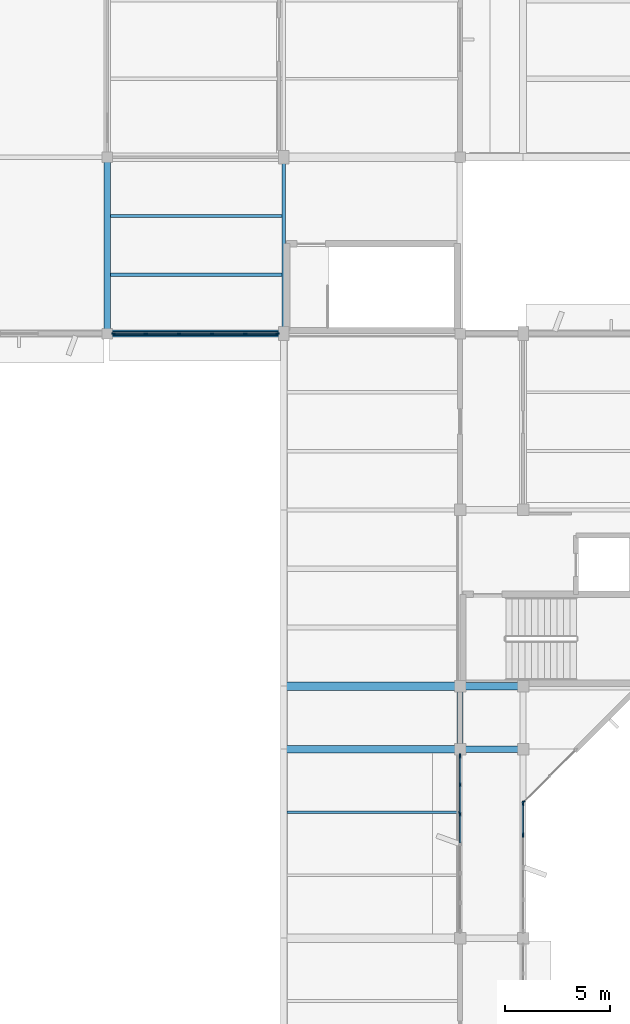
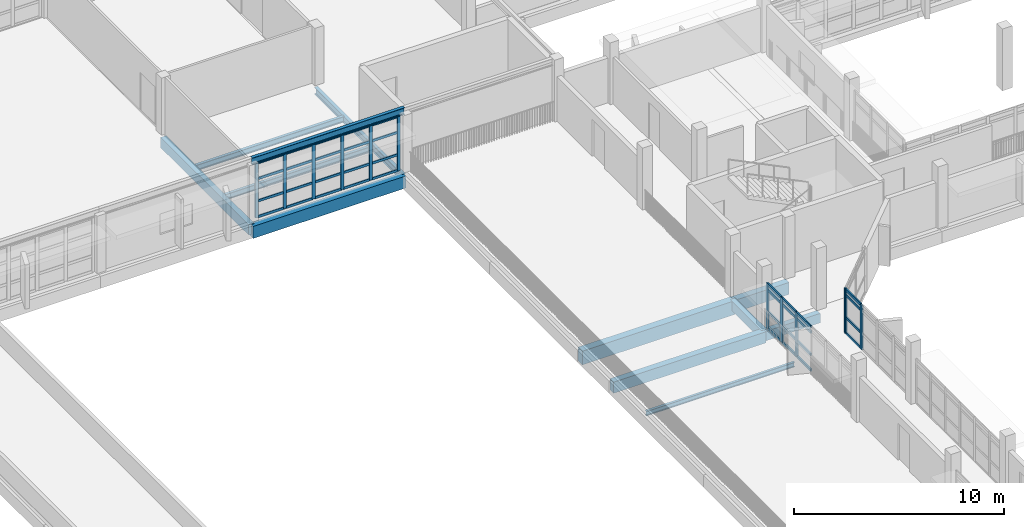
# One storey, part 27 of 92: 48 members, 12 beams, 4 elements without a shape of their own.
"""IFC4 building model written with IfcOpenShell, lengths in metres."""

from ifc_helpers import new_model, si_unit, direction, frame, origin, origin_2d, place, context, subcontext, project, spatial, rectangle, i_section, extrude, material, material_profile, profile_set, type_object, element, aggregate, save


model = new_model("IFC4")

# Units and contexts
model_context = context("Model", 3, precision=1e-05, world=origin(), true_north=direction((0.0, 1.0)))
body_context = subcontext(model_context, "Body", "Model", "MODEL_VIEW")
ifc_project = project(units=[si_unit("LENGTHUNIT", "METRE"), si_unit("AREAUNIT", "SQUARE_METRE"), si_unit("VOLUMEUNIT", "CUBIC_METRE"), si_unit("PLANEANGLEUNIT", "RADIAN"), si_unit("MASSUNIT", "GRAM", prefix="KILO")], contexts=[model_context])

# Site, building, storey
site_placement = place(None, origin())
site = spatial("IfcSite", under=ifc_project, at=site_placement, CompositionType="ELEMENT")
building_placement = place(site_placement, origin())
building = spatial("IfcBuilding", under=site, at=building_placement, Name="Vanh Quang Courtyard School", CompositionType="ELEMENT")
storey_placement = place(building_placement, frame((0.0, 0.0, 7.800048828125)))
storey = spatial("IfcBuildingStorey", under=building, at=storey_placement, Name="L02", CompositionType="ELEMENT", Elevation=7.800048828125)

# Beams
ifc_material_1 = material(Name="Concrete C35/45", Category="concrete")
ifc_material_profile_1 = material_profile(ifc_material_1, rectangle(XDim=0.300048828125, YDim=0.550048828125, at=origin_2d()), Name="RC-BM 300x550")
ifc_profile_set_1 = profile_set([ifc_material_profile_1], Name="Concrete C35/45")
beam_type_1 = type_object("IfcBeamType", Name="BM-RC-300x550", PredefinedType="BEAM", material=ifc_profile_set_1)
for number, where, z_axis, x_axis, name in (
    (1, (37.800048828125, 68.39990234375, -0.594970703125), (1.0, 0.0, 0.0), (0.0, 1.0, 0.0), "Beam B-07 (L02)"),
    (2, (37.800048828125, 68.39990234375, -0.594970703125), (0.0, 1.0, 0.0), (-1.0, 0.0, 0.0), "Beam B-07 (L02)"),
):
    element("IfcBeam", number, at=place(storey_placement, frame(where, z_axis=z_axis, x_axis=x_axis)), inside=storey, type_object=beam_type_1, Name=name, PredefinedType="BEAM", context=body_context, shape_type="SweptSolid", body=[
        extrude(rectangle(XDim=0.300048828125, YDim=0.550048828125, at=origin_2d()), origin(), (0.0, 0.0, 1.0), 3.0),
    ])
ifc_material_profile_2 = material_profile(ifc_material_1, rectangle(XDim=0.300048828125, YDim=0.60009765625, at=origin_2d()), Name="RC-BM 300x600")
ifc_profile_set_2 = profile_set([ifc_material_profile_2], Name="Concrete C35/45")
beam_type_2 = type_object("IfcBeamType", Name="BM-RC-300x600", PredefinedType="BEAM", material=ifc_profile_set_2)
beam_1_placement = place(storey_placement, frame((21.0, 88.199951171875, -0.580078125), z_axis=(0.0, 1.0, 0.0), x_axis=(-1.0, 0.0, 0.0)))
element("IfcBeam", 3, at=beam_1_placement, inside=storey, type_object=beam_type_2, Name="Beam B-06 (L02)", PredefinedType="BEAM", context=body_context, shape_type="SweptSolid", body=[
    extrude(rectangle(XDim=0.300048828125, YDim=0.60009765625, at=origin_2d()), origin(), (0.0, 0.0, 1.0), 8.400146484375),
])
ifc_material_profile_3 = material_profile(ifc_material_1, rectangle(XDim=0.35009765625, YDim=0.64990234375, at=origin_2d()), Name="RC-BM 350x650")
ifc_profile_set_3 = profile_set([ifc_material_profile_3], Name="Concrete C35/45")
beam_type_3 = type_object("IfcBeamType", Name="BM-RC-350x650", PredefinedType="BEAM", material=ifc_profile_set_3)
beam_2_placement = place(storey_placement, frame((29.39990234375, 68.39990234375, -0.64501953125), z_axis=(1.0, 0.0, 0.0), x_axis=(0.0, 1.0, 0.0)))
element("IfcBeam", 4, at=beam_2_placement, inside=storey, type_object=beam_type_3, Name="Beam B-05 (L02)", PredefinedType="BEAM", context=body_context, shape_type="SweptSolid", body=[
    extrude(rectangle(XDim=0.35009765625, YDim=0.64990234375, at=origin_2d()), origin(), (0.0, 0.0, 1.0), 8.400146484375),
])
ifc_material_profile_4 = material_profile(ifc_material_1, rectangle(XDim=0.35009765625, YDim=0.699951171875, at=origin_2d()), Name="RC-BM 350x700")
ifc_profile_set_4 = profile_set([ifc_material_profile_4], Name="Concrete C35/45")
beam_type_4 = type_object("IfcBeamType", Name="BM-RC-350x700", PredefinedType="BEAM", material=ifc_profile_set_4)
beam_3_placement = place(storey_placement, frame((37.800048828125, 71.39990234375, -0.670166015625), z_axis=(1.0, 0.0, 0.0), x_axis=(0.0, 1.0, 0.0)))
element("IfcBeam", 5, at=beam_3_placement, inside=storey, type_object=beam_type_4, Name="Beam B-04 (L02)", PredefinedType="BEAM", context=body_context, shape_type="SweptSolid", body=[
    extrude(rectangle(XDim=0.35009765625, YDim=0.699951171875, at=origin_2d()), origin(), (0.0, 0.0, 1.0), 3.0),
])
beam_4_placement = place(storey_placement, frame((21.0, 88.199951171875, -0.670166015625), z_axis=(1.0, 0.0, 0.0), x_axis=(0.0, 1.0, 0.0)))
element("IfcBeam", 6, at=beam_4_placement, inside=storey, type_object=beam_type_4, Name="Beam B-04 (L02)", PredefinedType="BEAM", context=body_context, shape_type="SweptSolid", body=[
    extrude(rectangle(XDim=0.35009765625, YDim=0.699951171875, at=origin_2d()), origin(), (0.0, 0.0, 1.0), 8.39990234375),
])
ifc_material_profile_5 = material_profile(ifc_material_1, rectangle(XDim=0.39990234375, YDim=0.800048828125, at=origin_2d()), Name="RC-BM 400x800")
ifc_profile_set_5 = profile_set([ifc_material_profile_5], Name="Concrete C35/45")
beam_type_5 = type_object("IfcBeamType", Name="BM-RC-400x800", PredefinedType="BEAM", material=ifc_profile_set_5)
beam_5_placement = place(storey_placement, frame((29.39990234375, 71.39990234375, -0.719970703125), z_axis=(1.0, 0.0, 0.0), x_axis=(0.0, 1.0, 0.0)))
element("IfcBeam", 7, at=beam_5_placement, inside=storey, type_object=beam_type_5, Name="Beam B-02 (L02)", PredefinedType="BEAM", context=body_context, shape_type="SweptSolid", body=[
    extrude(rectangle(XDim=0.39990234375, YDim=0.800048828125, at=origin_2d()), origin(), (0.0, 0.0, 1.0), 8.400146484375),
])
ifc_material_2 = material(Name="Structural steel EN 10025-2 S355J2", Category="steel")
ifc_material_profile_6 = material_profile(ifc_material_2, i_section(OverallWidth=0.179931640625, OverallDepth=0.39990234375, WebThickness=0.008544921875, FlangeThickness=0.013427734375, FilletRadius=0.02099609375, at=origin_2d()), Name="IPE 400")
ifc_profile_set_6 = profile_set([ifc_material_profile_6], Name="Structural steel EN 10025-2 S355J2")
beam_type_6 = type_object("IfcBeamType", Name="BM-STL-IPE400", PredefinedType="BEAM", material=ifc_profile_set_6)
beam_6_placement = place(storey_placement, frame((29.39990234375, 88.199951171875, -0.52001953125), z_axis=(0.0, 1.0, 0.0), x_axis=(-1.0, 0.0, 0.0)))
element("IfcBeam", 8, at=beam_6_placement, inside=storey, type_object=beam_type_6, Name="Beam SB-05 (L02)", PredefinedType="BEAM", context=body_context, shape_type="SweptSolid", body=[
    extrude(i_section(OverallWidth=0.179931640625, OverallDepth=0.39990234375, WebThickness=0.008544921875, FlangeThickness=0.013427734375, FilletRadius=0.02099609375, at=origin_2d()), origin(), (0.0, 0.0, 1.0), 8.400146484375),
])
beam_7_placement = place(storey_placement, frame((21.0, 88.199951171875, 3.39990234375), z_axis=(1.0, 0.0, 0.0), x_axis=(0.0, 1.0, 0.0)))
element("IfcBeam", 9, at=beam_7_placement, inside=storey, type_object=beam_type_6, Name="Beam SB-05 (L02)", PredefinedType="BEAM", context=body_context, shape_type="SweptSolid", body=[
    extrude(i_section(OverallWidth=0.179931640625, OverallDepth=0.39990234375, WebThickness=0.008544921875, FlangeThickness=0.013427734375, FilletRadius=0.02099609375, at=origin_2d()), origin(), (0.0, 0.0, 1.0), 8.39990234375),
])

# Curtain wall, member
ifc_material_3 = material(Name="Thermally broken aluminium unitised curtain wall", Category="aluminium")
curtain_wall_type_1 = type_object("IfcCurtainWallType", Name="CW-SYS-41", PredefinedType="NOTDEFINED", material=ifc_material_3)
curtain_wall_1_placement = place(storey_placement, origin())
curtain_wall_1 = element("IfcCurtainWall", 10, at=curtain_wall_1_placement, inside=storey, type_object=curtain_wall_type_1, Name="Curtain Wall CW-41 (L02)", PredefinedType="NOTDEFINED")
ifc_material_4 = material(Name="Anodised aluminium 6063-T6", Category="aluminium")
ifc_material_profile_7 = material_profile(ifc_material_4, rectangle(XDim=0.06005859375, YDim=0.159912109375, at=origin_2d()), Name="ALU-MUL 60x160")
ifc_profile_set_7 = profile_set([ifc_material_profile_7], Name="Anodised aluminium 6063-T6")
member_type_1 = type_object("IfcMemberType", Name="CW-MUL-60x160", PredefinedType="MULLION", material=ifc_profile_set_7)
member_1_placement = place(storey_placement, frame((40.8212890625, 65.877197265625, 0.0), z_axis=(0.0, 0.0, 1.0), x_axis=(0.707106781187, -0.707106781187, 0.0)))
member_1 = element("IfcMember", 11, at=member_1_placement, type_object=member_type_1, Name="CW-41 mullion 3", PredefinedType="MULLION", context=body_context, shape_type="SweptSolid", body=[
    extrude(rectangle(XDim=0.06005859375, YDim=0.159912109375, at=origin_2d()), origin(), (0.0, 0.0, 1.0), 2.599853515625),
])
aggregate(curtain_wall_1, [member_1])

# Curtain wall, members
curtain_wall_type_2 = type_object("IfcCurtainWallType", Name="CW-SYS-08", PredefinedType="NOTDEFINED", material=ifc_material_3)
curtain_wall_2_placement = place(storey_placement, origin())
curtain_wall_2 = element("IfcCurtainWall", 12, at=curtain_wall_2_placement, inside=storey, type_object=curtain_wall_type_2, Name="Curtain Wall CW-08 (L02)", PredefinedType="NOTDEFINED")
ifc_material_profile_8 = material_profile(ifc_material_4, rectangle(XDim=0.070068359375, YDim=0.179931640625, at=origin_2d()), Name="ALU-MUL 70x180")
ifc_profile_set_8 = profile_set([ifc_material_profile_8], Name="Anodised aluminium 6063-T6")
member_type_2 = type_object("IfcMemberType", Name="CW-MUL-70x180", PredefinedType="MULLION", material=ifc_profile_set_8)
member_2_placement = place(storey_placement, frame((29.10693359375, 88.199951171875, 0.0), z_axis=(0.0, 0.0, 1.0), x_axis=(0.0, -1.0, 0.0)))
member_2 = element("IfcMember", 13, at=member_2_placement, type_object=member_type_2, Name="CW-08 mullion 1", PredefinedType="MULLION", context=body_context, shape_type="SweptSolid", body=[
    extrude(rectangle(XDim=0.070068359375, YDim=0.179931640625, at=origin_2d()), origin(), (0.0, 0.0, 1.0), 3.199951171875),
])
member_3_placement = place(storey_placement, frame((27.565185546875, 88.199951171875, 0.0), z_axis=(0.0, 0.0, 1.0), x_axis=(0.0, -1.0, 0.0)))
member_3 = element("IfcMember", 14, at=member_3_placement, type_object=member_type_2, Name="CW-08 mullion 2", PredefinedType="MULLION", context=body_context, shape_type="SweptSolid", body=[
    extrude(rectangle(XDim=0.070068359375, YDim=0.179931640625, at=origin_2d()), origin(), (0.0, 0.0, 1.0), 3.199951171875),
])
member_4_placement = place(storey_placement, frame((25.98828125, 88.199951171875, 0.0), z_axis=(0.0, 0.0, 1.0), x_axis=(0.0, -1.0, 0.0)))
member_4 = element("IfcMember", 15, at=member_4_placement, type_object=member_type_2, Name="CW-08 mullion 3", PredefinedType="MULLION", context=body_context, shape_type="SweptSolid", body=[
    extrude(rectangle(XDim=0.070068359375, YDim=0.179931640625, at=origin_2d()), origin(), (0.0, 0.0, 1.0), 3.199951171875),
])
member_5_placement = place(storey_placement, frame((24.41162109375, 88.199951171875, 0.0), z_axis=(0.0, 0.0, 1.0), x_axis=(0.0, -1.0, 0.0)))
member_5 = element("IfcMember", 16, at=member_5_placement, type_object=member_type_2, Name="CW-08 mullion 4", PredefinedType="MULLION", context=body_context, shape_type="SweptSolid", body=[
    extrude(rectangle(XDim=0.070068359375, YDim=0.179931640625, at=origin_2d()), origin(), (0.0, 0.0, 1.0), 3.199951171875),
])
member_6_placement = place(storey_placement, frame((22.834716796875, 88.199951171875, 0.0), z_axis=(0.0, 0.0, 1.0), x_axis=(0.0, -1.0, 0.0)))
member_6 = element("IfcMember", 17, at=member_6_placement, type_object=member_type_2, Name="CW-08 mullion 5", PredefinedType="MULLION", context=body_context, shape_type="SweptSolid", body=[
    extrude(rectangle(XDim=0.070068359375, YDim=0.179931640625, at=origin_2d()), origin(), (0.0, 0.0, 1.0), 3.199951171875),
])
member_7_placement = place(storey_placement, frame((21.29296875, 88.199951171875, 0.0), z_axis=(0.0, 0.0, 1.0), x_axis=(0.0, -1.0, 0.0)))
member_7 = element("IfcMember", 18, at=member_7_placement, type_object=member_type_2, Name="CW-08 mullion 6", PredefinedType="MULLION", context=body_context, shape_type="SweptSolid", body=[
    extrude(rectangle(XDim=0.070068359375, YDim=0.179931640625, at=origin_2d()), origin(), (0.0, 0.0, 1.0), 3.199951171875),
])

curtain_wall_type_3 = type_object("IfcCurtainWallType", Name="CW-SYS-48", PredefinedType="NOTDEFINED", material=ifc_material_3)
curtain_wall_3_placement = place(storey_placement, origin())
curtain_wall_3 = element("IfcCurtainWall", 19, at=curtain_wall_3_placement, inside=storey, type_object=curtain_wall_type_3, Name="Curtain Wall CW-48 (L02)", PredefinedType="NOTDEFINED")
ifc_material_profile_9 = material_profile(ifc_material_4, rectangle(XDim=0.080078125, YDim=0.199951171875, at=origin_2d()), Name="ALU-MUL 80x200")
ifc_profile_set_9 = profile_set([ifc_material_profile_9], Name="Anodised aluminium 6063-T6")
member_type_3 = type_object("IfcMemberType", Name="CW-MUL-80x200", PredefinedType="MULLION", material=ifc_profile_set_9)
member_8_placement = place(storey_placement, frame((37.800048828125, 65.3056640625, 0.0), z_axis=(0.0, 0.0, 1.0), x_axis=(-1.0, 0.0, 0.0)))
member_8 = element("IfcMember", 20, at=member_8_placement, type_object=member_type_3, Name="CW-48 mullion 5", PredefinedType="MULLION", context=body_context, shape_type="SweptSolid", body=[
    extrude(rectangle(XDim=0.080078125, YDim=0.199951171875, at=origin_2d()), origin(), (0.0, 0.0, 1.0), 2.599853515625),
])
member_9_placement = place(storey_placement, frame((37.800048828125, 66.71142578125, 0.0), z_axis=(0.0, 0.0, 1.0), x_axis=(-1.0, 0.0, 0.0)))
member_9 = element("IfcMember", 21, at=member_9_placement, type_object=member_type_3, Name="CW-48 mullion 6", PredefinedType="MULLION", context=body_context, shape_type="SweptSolid", body=[
    extrude(rectangle(XDim=0.080078125, YDim=0.199951171875, at=origin_2d()), origin(), (0.0, 0.0, 1.0), 2.599853515625),
])
member_10_placement = place(storey_placement, frame((37.800048828125, 68.076904296875, 0.0), z_axis=(0.0, 0.0, 1.0), x_axis=(-1.0, 0.0, 0.0)))
member_10 = element("IfcMember", 22, at=member_10_placement, type_object=member_type_3, Name="CW-48 mullion 7", PredefinedType="MULLION", context=body_context, shape_type="SweptSolid", body=[
    extrude(rectangle(XDim=0.080078125, YDim=0.199951171875, at=origin_2d()), origin(), (0.0, 0.0, 1.0), 2.599853515625),
])

curtain_wall_type_4 = type_object("IfcCurtainWallType", Name="CW-SYS-44", PredefinedType="NOTDEFINED", material=ifc_material_3)
curtain_wall_4_placement = place(storey_placement, origin())
curtain_wall_4 = element("IfcCurtainWall", 23, at=curtain_wall_4_placement, inside=storey, type_object=curtain_wall_type_4, Name="Curtain Wall CW-44 (L02)", PredefinedType="NOTDEFINED")
member_11_placement = place(storey_placement, frame((40.800048828125, 65.81591796875, 0.0), z_axis=(0.0, 0.0, 1.0), x_axis=(1.0, 0.0, 0.0)))
member_11 = element("IfcMember", 24, at=member_11_placement, type_object=member_type_3, Name="CW-44 mullion 1", PredefinedType="MULLION", context=body_context, shape_type="SweptSolid", body=[
    extrude(rectangle(XDim=0.080078125, YDim=0.199951171875, at=origin_2d()), origin(), (0.0, 0.0, 1.0), 2.599853515625),
])
member_12_placement = place(storey_placement, frame((40.800048828125, 64.312744140625, 0.0), z_axis=(0.0, 0.0, 1.0), x_axis=(1.0, 0.0, 0.0)))
member_12 = element("IfcMember", 25, at=member_12_placement, type_object=member_type_3, Name="CW-44 mullion 2", PredefinedType="MULLION", context=body_context, shape_type="SweptSolid", body=[
    extrude(rectangle(XDim=0.080078125, YDim=0.199951171875, at=origin_2d()), origin(), (0.0, 0.0, 1.0), 2.599853515625),
])

# Member
ifc_material_profile_10 = material_profile(ifc_material_4, rectangle(XDim=0.070068359375, YDim=0.139892578125, at=origin_2d()), Name="ALU-TRN 70x140")
ifc_profile_set_10 = profile_set([ifc_material_profile_10], Name="Anodised aluminium 6063-T6")
member_type_4 = type_object("IfcMemberType", Name="CW-TRN-70x140", PredefinedType="USERDEFINED", material=ifc_profile_set_10)
member_13_placement = place(storey_placement, frame((29.072021484375, 88.199951171875, 0.034912109375), z_axis=(-1.0, 0.0, 0.0), x_axis=(0.0, -1.0, 0.0)))
member_13 = element("IfcMember", 26, at=member_13_placement, type_object=member_type_4, Name="CW-08 transom 1.1", ObjectType="TRANSOM", PredefinedType="USERDEFINED", context=body_context, shape_type="SweptSolid", body=[
    extrude(rectangle(XDim=0.070068359375, YDim=0.139892578125, at=origin_2d()), origin(), (0.0, 0.0, 1.0), 1.471923828125),
])

member_14_placement = place(storey_placement, frame((29.072021484375, 88.199951171875, 0.949951171875), z_axis=(-1.0, 0.0, 0.0), x_axis=(0.0, -1.0, 0.0)))
member_14 = element("IfcMember", 27, at=member_14_placement, type_object=member_type_4, Name="CW-08 transom 1.2", ObjectType="TRANSOM", PredefinedType="USERDEFINED", context=body_context, shape_type="SweptSolid", body=[
    extrude(rectangle(XDim=0.070068359375, YDim=0.139892578125, at=origin_2d()), origin(), (0.0, 0.0, 1.0), 1.471923828125),
])

member_15_placement = place(storey_placement, frame((29.072021484375, 88.199951171875, 2.25), z_axis=(-1.0, 0.0, 0.0), x_axis=(0.0, -1.0, 0.0)))
member_15 = element("IfcMember", 28, at=member_15_placement, type_object=member_type_4, Name="CW-08 transom 1.3", ObjectType="TRANSOM", PredefinedType="USERDEFINED", context=body_context, shape_type="SweptSolid", body=[
    extrude(rectangle(XDim=0.070068359375, YDim=0.139892578125, at=origin_2d()), origin(), (0.0, 0.0, 1.0), 1.471923828125),
])

member_16_placement = place(storey_placement, frame((29.072021484375, 88.199951171875, 3.1650390625), z_axis=(-1.0, 0.0, 0.0), x_axis=(0.0, -1.0, 0.0)))
member_16 = element("IfcMember", 29, at=member_16_placement, type_object=member_type_4, Name="CW-08 transom 1.4", ObjectType="TRANSOM", PredefinedType="USERDEFINED", context=body_context, shape_type="SweptSolid", body=[
    extrude(rectangle(XDim=0.070068359375, YDim=0.139892578125, at=origin_2d()), origin(), (0.0, 0.0, 1.0), 1.471923828125),
])

member_17_placement = place(storey_placement, frame((27.5302734375, 88.199951171875, 0.034912109375), z_axis=(-1.0, 0.0, 0.0), x_axis=(0.0, -1.0, 0.0)))
member_17 = element("IfcMember", 30, at=member_17_placement, type_object=member_type_4, Name="CW-08 transom 2.1", ObjectType="TRANSOM", PredefinedType="USERDEFINED", context=body_context, shape_type="SweptSolid", body=[
    extrude(rectangle(XDim=0.070068359375, YDim=0.139892578125, at=origin_2d()), origin(), (0.0, 0.0, 1.0), 1.5068359375),
])

member_18_placement = place(storey_placement, frame((27.5302734375, 88.199951171875, 0.949951171875), z_axis=(-1.0, 0.0, 0.0), x_axis=(0.0, -1.0, 0.0)))
member_18 = element("IfcMember", 31, at=member_18_placement, type_object=member_type_4, Name="CW-08 transom 2.2", ObjectType="TRANSOM", PredefinedType="USERDEFINED", context=body_context, shape_type="SweptSolid", body=[
    extrude(rectangle(XDim=0.070068359375, YDim=0.139892578125, at=origin_2d()), origin(), (0.0, 0.0, 1.0), 1.5068359375),
])

member_19_placement = place(storey_placement, frame((27.5302734375, 88.199951171875, 2.25), z_axis=(-1.0, 0.0, 0.0), x_axis=(0.0, -1.0, 0.0)))
member_19 = element("IfcMember", 32, at=member_19_placement, type_object=member_type_4, Name="CW-08 transom 2.3", ObjectType="TRANSOM", PredefinedType="USERDEFINED", context=body_context, shape_type="SweptSolid", body=[
    extrude(rectangle(XDim=0.070068359375, YDim=0.139892578125, at=origin_2d()), origin(), (0.0, 0.0, 1.0), 1.5068359375),
])

member_20_placement = place(storey_placement, frame((27.5302734375, 88.199951171875, 3.1650390625), z_axis=(-1.0, 0.0, 0.0), x_axis=(0.0, -1.0, 0.0)))
member_20 = element("IfcMember", 33, at=member_20_placement, type_object=member_type_4, Name="CW-08 transom 2.4", ObjectType="TRANSOM", PredefinedType="USERDEFINED", context=body_context, shape_type="SweptSolid", body=[
    extrude(rectangle(XDim=0.070068359375, YDim=0.139892578125, at=origin_2d()), origin(), (0.0, 0.0, 1.0), 1.5068359375),
])

member_21_placement = place(storey_placement, frame((25.953369140625, 88.199951171875, 0.034912109375), z_axis=(-1.0, 0.0, 0.0), x_axis=(0.0, -1.0, 0.0)))
member_21 = element("IfcMember", 34, at=member_21_placement, type_object=member_type_4, Name="CW-08 transom 3.1", ObjectType="TRANSOM", PredefinedType="USERDEFINED", context=body_context, shape_type="SweptSolid", body=[
    extrude(rectangle(XDim=0.070068359375, YDim=0.139892578125, at=origin_2d()), origin(), (0.0, 0.0, 1.0), 1.5068359375),
])

member_22_placement = place(storey_placement, frame((25.953369140625, 88.199951171875, 0.949951171875), z_axis=(-1.0, 0.0, 0.0), x_axis=(0.0, -1.0, 0.0)))
member_22 = element("IfcMember", 35, at=member_22_placement, type_object=member_type_4, Name="CW-08 transom 3.2", ObjectType="TRANSOM", PredefinedType="USERDEFINED", context=body_context, shape_type="SweptSolid", body=[
    extrude(rectangle(XDim=0.070068359375, YDim=0.139892578125, at=origin_2d()), origin(), (0.0, 0.0, 1.0), 1.5068359375),
])

member_23_placement = place(storey_placement, frame((25.953369140625, 88.199951171875, 2.25), z_axis=(-1.0, 0.0, 0.0), x_axis=(0.0, -1.0, 0.0)))
member_23 = element("IfcMember", 36, at=member_23_placement, type_object=member_type_4, Name="CW-08 transom 3.3", ObjectType="TRANSOM", PredefinedType="USERDEFINED", context=body_context, shape_type="SweptSolid", body=[
    extrude(rectangle(XDim=0.070068359375, YDim=0.139892578125, at=origin_2d()), origin(), (0.0, 0.0, 1.0), 1.5068359375),
])

member_24_placement = place(storey_placement, frame((25.953369140625, 88.199951171875, 3.1650390625), z_axis=(-1.0, 0.0, 0.0), x_axis=(0.0, -1.0, 0.0)))
member_24 = element("IfcMember", 37, at=member_24_placement, type_object=member_type_4, Name="CW-08 transom 3.4", ObjectType="TRANSOM", PredefinedType="USERDEFINED", context=body_context, shape_type="SweptSolid", body=[
    extrude(rectangle(XDim=0.070068359375, YDim=0.139892578125, at=origin_2d()), origin(), (0.0, 0.0, 1.0), 1.5068359375),
])

member_25_placement = place(storey_placement, frame((24.376708984375, 88.199951171875, 0.034912109375), z_axis=(-1.0, 0.0, 0.0), x_axis=(0.0, -1.0, 0.0)))
member_25 = element("IfcMember", 38, at=member_25_placement, type_object=member_type_4, Name="CW-08 transom 4.1", ObjectType="TRANSOM", PredefinedType="USERDEFINED", context=body_context, shape_type="SweptSolid", body=[
    extrude(rectangle(XDim=0.070068359375, YDim=0.139892578125, at=origin_2d()), origin(), (0.0, 0.0, 1.0), 1.5068359375),
])

member_26_placement = place(storey_placement, frame((24.376708984375, 88.199951171875, 0.949951171875), z_axis=(-1.0, 0.0, 0.0), x_axis=(0.0, -1.0, 0.0)))
member_26 = element("IfcMember", 39, at=member_26_placement, type_object=member_type_4, Name="CW-08 transom 4.2", ObjectType="TRANSOM", PredefinedType="USERDEFINED", context=body_context, shape_type="SweptSolid", body=[
    extrude(rectangle(XDim=0.070068359375, YDim=0.139892578125, at=origin_2d()), origin(), (0.0, 0.0, 1.0), 1.5068359375),
])

member_27_placement = place(storey_placement, frame((24.376708984375, 88.199951171875, 2.25), z_axis=(-1.0, 0.0, 0.0), x_axis=(0.0, -1.0, 0.0)))
member_27 = element("IfcMember", 40, at=member_27_placement, type_object=member_type_4, Name="CW-08 transom 4.3", ObjectType="TRANSOM", PredefinedType="USERDEFINED", context=body_context, shape_type="SweptSolid", body=[
    extrude(rectangle(XDim=0.070068359375, YDim=0.139892578125, at=origin_2d()), origin(), (0.0, 0.0, 1.0), 1.5068359375),
])

member_28_placement = place(storey_placement, frame((24.376708984375, 88.199951171875, 3.1650390625), z_axis=(-1.0, 0.0, 0.0), x_axis=(0.0, -1.0, 0.0)))
member_28 = element("IfcMember", 41, at=member_28_placement, type_object=member_type_4, Name="CW-08 transom 4.4", ObjectType="TRANSOM", PredefinedType="USERDEFINED", context=body_context, shape_type="SweptSolid", body=[
    extrude(rectangle(XDim=0.070068359375, YDim=0.139892578125, at=origin_2d()), origin(), (0.0, 0.0, 1.0), 1.5068359375),
])

member_29_placement = place(storey_placement, frame((22.7998046875, 88.199951171875, 0.034912109375), z_axis=(-1.0, 0.0, 0.0), x_axis=(0.0, -1.0, 0.0)))
member_29 = element("IfcMember", 42, at=member_29_placement, type_object=member_type_4, Name="CW-08 transom 5.1", ObjectType="TRANSOM", PredefinedType="USERDEFINED", context=body_context, shape_type="SweptSolid", body=[
    extrude(rectangle(XDim=0.070068359375, YDim=0.139892578125, at=origin_2d()), origin(), (0.0, 0.0, 1.0), 1.471923828125),
])

member_30_placement = place(storey_placement, frame((22.7998046875, 88.199951171875, 0.949951171875), z_axis=(-1.0, 0.0, 0.0), x_axis=(0.0, -1.0, 0.0)))
member_30 = element("IfcMember", 43, at=member_30_placement, type_object=member_type_4, Name="CW-08 transom 5.2", ObjectType="TRANSOM", PredefinedType="USERDEFINED", context=body_context, shape_type="SweptSolid", body=[
    extrude(rectangle(XDim=0.070068359375, YDim=0.139892578125, at=origin_2d()), origin(), (0.0, 0.0, 1.0), 1.471923828125),
])

member_31_placement = place(storey_placement, frame((22.7998046875, 88.199951171875, 2.25), z_axis=(-1.0, 0.0, 0.0), x_axis=(0.0, -1.0, 0.0)))
member_31 = element("IfcMember", 44, at=member_31_placement, type_object=member_type_4, Name="CW-08 transom 5.3", ObjectType="TRANSOM", PredefinedType="USERDEFINED", context=body_context, shape_type="SweptSolid", body=[
    extrude(rectangle(XDim=0.070068359375, YDim=0.139892578125, at=origin_2d()), origin(), (0.0, 0.0, 1.0), 1.471923828125),
])

member_32_placement = place(storey_placement, frame((22.7998046875, 88.199951171875, 3.1650390625), z_axis=(-1.0, 0.0, 0.0), x_axis=(0.0, -1.0, 0.0)))
member_32 = element("IfcMember", 45, at=member_32_placement, type_object=member_type_4, Name="CW-08 transom 5.4", ObjectType="TRANSOM", PredefinedType="USERDEFINED", context=body_context, shape_type="SweptSolid", body=[
    extrude(rectangle(XDim=0.070068359375, YDim=0.139892578125, at=origin_2d()), origin(), (0.0, 0.0, 1.0), 1.471923828125),
])

aggregate(curtain_wall_2, [member_2, member_3, member_4, member_5, member_6, member_7, member_13, member_14, member_15, member_16, member_17, member_18, member_19, member_20, member_21, member_22, member_23, member_24, member_25, member_26, member_27, member_28, member_29, member_30, member_31, member_32])

ifc_material_profile_11 = material_profile(ifc_material_4, rectangle(XDim=0.080078125, YDim=0.14990234375, at=origin_2d()), Name="ALU-TRN 80x150")
ifc_profile_set_11 = profile_set([ifc_material_profile_11], Name="Anodised aluminium 6063-T6")
member_type_5 = type_object("IfcMemberType", Name="CW-TRN-80x150", PredefinedType="USERDEFINED", material=ifc_profile_set_11)
member_33_placement = place(storey_placement, frame((37.800048828125, 63.93994140625, 0.0400390625), z_axis=(0.0, 1.0, 0.0), x_axis=(-1.0, 0.0, 0.0)))
member_33 = element("IfcMember", 46, at=member_33_placement, type_object=member_type_5, Name="CW-48 transom 4.1", ObjectType="TRANSOM", PredefinedType="USERDEFINED", context=body_context, shape_type="SweptSolid", body=[
    extrude(rectangle(XDim=0.080078125, YDim=0.14990234375, at=origin_2d()), origin(), (0.0, 0.0, 1.0), 1.32568359375),
])

member_34_placement = place(storey_placement, frame((37.800048828125, 63.93994140625, 0.949951171875), z_axis=(0.0, 1.0, 0.0), x_axis=(-1.0, 0.0, 0.0)))
member_34 = element("IfcMember", 47, at=member_34_placement, type_object=member_type_5, Name="CW-48 transom 4.2", ObjectType="TRANSOM", PredefinedType="USERDEFINED", context=body_context, shape_type="SweptSolid", body=[
    extrude(rectangle(XDim=0.080078125, YDim=0.14990234375, at=origin_2d()), origin(), (0.0, 0.0, 1.0), 1.32568359375),
])

member_35_placement = place(storey_placement, frame((37.800048828125, 63.93994140625, 2.25), z_axis=(0.0, 1.0, 0.0), x_axis=(-1.0, 0.0, 0.0)))
member_35 = element("IfcMember", 48, at=member_35_placement, type_object=member_type_5, Name="CW-48 transom 4.3", ObjectType="TRANSOM", PredefinedType="USERDEFINED", context=body_context, shape_type="SweptSolid", body=[
    extrude(rectangle(XDim=0.080078125, YDim=0.14990234375, at=origin_2d()), origin(), (0.0, 0.0, 1.0), 1.32568359375),
])

member_36_placement = place(storey_placement, frame((37.800048828125, 63.93994140625, 2.56005859375), z_axis=(0.0, 1.0, 0.0), x_axis=(-1.0, 0.0, 0.0)))
member_36 = element("IfcMember", 49, at=member_36_placement, type_object=member_type_5, Name="CW-48 transom 4.4", ObjectType="TRANSOM", PredefinedType="USERDEFINED", context=body_context, shape_type="SweptSolid", body=[
    extrude(rectangle(XDim=0.080078125, YDim=0.14990234375, at=origin_2d()), origin(), (0.0, 0.0, 1.0), 1.32568359375),
])

member_37_placement = place(storey_placement, frame((37.800048828125, 65.345703125, 0.0400390625), z_axis=(0.0, 1.0, 0.0), x_axis=(-1.0, 0.0, 0.0)))
member_37 = element("IfcMember", 50, at=member_37_placement, type_object=member_type_5, Name="CW-48 transom 5.1", ObjectType="TRANSOM", PredefinedType="USERDEFINED", context=body_context, shape_type="SweptSolid", body=[
    extrude(rectangle(XDim=0.080078125, YDim=0.14990234375, at=origin_2d()), origin(), (0.0, 0.0, 1.0), 1.32568359375),
])

member_38_placement = place(storey_placement, frame((37.800048828125, 65.345703125, 0.949951171875), z_axis=(0.0, 1.0, 0.0), x_axis=(-1.0, 0.0, 0.0)))
member_38 = element("IfcMember", 51, at=member_38_placement, type_object=member_type_5, Name="CW-48 transom 5.2", ObjectType="TRANSOM", PredefinedType="USERDEFINED", context=body_context, shape_type="SweptSolid", body=[
    extrude(rectangle(XDim=0.080078125, YDim=0.14990234375, at=origin_2d()), origin(), (0.0, 0.0, 1.0), 1.32568359375),
])

member_39_placement = place(storey_placement, frame((37.800048828125, 65.345703125, 2.25), z_axis=(0.0, 1.0, 0.0), x_axis=(-1.0, 0.0, 0.0)))
member_39 = element("IfcMember", 52, at=member_39_placement, type_object=member_type_5, Name="CW-48 transom 5.3", ObjectType="TRANSOM", PredefinedType="USERDEFINED", context=body_context, shape_type="SweptSolid", body=[
    extrude(rectangle(XDim=0.080078125, YDim=0.14990234375, at=origin_2d()), origin(), (0.0, 0.0, 1.0), 1.32568359375),
])

member_40_placement = place(storey_placement, frame((37.800048828125, 65.345703125, 2.56005859375), z_axis=(0.0, 1.0, 0.0), x_axis=(-1.0, 0.0, 0.0)))
member_40 = element("IfcMember", 53, at=member_40_placement, type_object=member_type_5, Name="CW-48 transom 5.4", ObjectType="TRANSOM", PredefinedType="USERDEFINED", context=body_context, shape_type="SweptSolid", body=[
    extrude(rectangle(XDim=0.080078125, YDim=0.14990234375, at=origin_2d()), origin(), (0.0, 0.0, 1.0), 1.32568359375),
])

member_41_placement = place(storey_placement, frame((37.800048828125, 66.751220703125, 0.0400390625), z_axis=(0.0, 1.0, 0.0), x_axis=(-1.0, 0.0, 0.0)))
member_41 = element("IfcMember", 54, at=member_41_placement, type_object=member_type_5, Name="CW-48 transom 6.1", ObjectType="TRANSOM", PredefinedType="USERDEFINED", context=body_context, shape_type="SweptSolid", body=[
    extrude(rectangle(XDim=0.080078125, YDim=0.14990234375, at=origin_2d()), origin(), (0.0, 0.0, 1.0), 1.285888671875),
])

member_42_placement = place(storey_placement, frame((37.800048828125, 66.751220703125, 0.949951171875), z_axis=(0.0, 1.0, 0.0), x_axis=(-1.0, 0.0, 0.0)))
member_42 = element("IfcMember", 55, at=member_42_placement, type_object=member_type_5, Name="CW-48 transom 6.2", ObjectType="TRANSOM", PredefinedType="USERDEFINED", context=body_context, shape_type="SweptSolid", body=[
    extrude(rectangle(XDim=0.080078125, YDim=0.14990234375, at=origin_2d()), origin(), (0.0, 0.0, 1.0), 1.285888671875),
])

member_43_placement = place(storey_placement, frame((37.800048828125, 66.751220703125, 2.25), z_axis=(0.0, 1.0, 0.0), x_axis=(-1.0, 0.0, 0.0)))
member_43 = element("IfcMember", 56, at=member_43_placement, type_object=member_type_5, Name="CW-48 transom 6.3", ObjectType="TRANSOM", PredefinedType="USERDEFINED", context=body_context, shape_type="SweptSolid", body=[
    extrude(rectangle(XDim=0.080078125, YDim=0.14990234375, at=origin_2d()), origin(), (0.0, 0.0, 1.0), 1.285888671875),
])

member_44_placement = place(storey_placement, frame((37.800048828125, 66.751220703125, 2.56005859375), z_axis=(0.0, 1.0, 0.0), x_axis=(-1.0, 0.0, 0.0)))
member_44 = element("IfcMember", 57, at=member_44_placement, type_object=member_type_5, Name="CW-48 transom 6.4", ObjectType="TRANSOM", PredefinedType="USERDEFINED", context=body_context, shape_type="SweptSolid", body=[
    extrude(rectangle(XDim=0.080078125, YDim=0.14990234375, at=origin_2d()), origin(), (0.0, 0.0, 1.0), 1.285888671875),
])

aggregate(curtain_wall_3, [member_8, member_9, member_10, member_33, member_34, member_35, member_36, member_37, member_38, member_39, member_40, member_41, member_42, member_43, member_44])

member_45_placement = place(storey_placement, frame((40.800048828125, 65.77587890625, 0.0400390625), z_axis=(0.0, -1.0, 0.0), x_axis=(1.0, 0.0, 0.0)))
member_45 = element("IfcMember", 58, at=member_45_placement, type_object=member_type_5, Name="CW-44 transom 1.1", ObjectType="TRANSOM", PredefinedType="USERDEFINED", context=body_context, shape_type="SweptSolid", body=[
    extrude(rectangle(XDim=0.080078125, YDim=0.14990234375, at=origin_2d()), origin(), (0.0, 0.0, 1.0), 1.423095703125),
])

member_46_placement = place(storey_placement, frame((40.800048828125, 65.77587890625, 0.949951171875), z_axis=(0.0, -1.0, 0.0), x_axis=(1.0, 0.0, 0.0)))
member_46 = element("IfcMember", 59, at=member_46_placement, type_object=member_type_5, Name="CW-44 transom 1.2", ObjectType="TRANSOM", PredefinedType="USERDEFINED", context=body_context, shape_type="SweptSolid", body=[
    extrude(rectangle(XDim=0.080078125, YDim=0.14990234375, at=origin_2d()), origin(), (0.0, 0.0, 1.0), 1.423095703125),
])

member_47_placement = place(storey_placement, frame((40.800048828125, 65.77587890625, 2.25), z_axis=(0.0, -1.0, 0.0), x_axis=(1.0, 0.0, 0.0)))
member_47 = element("IfcMember", 60, at=member_47_placement, type_object=member_type_5, Name="CW-44 transom 1.3", ObjectType="TRANSOM", PredefinedType="USERDEFINED", context=body_context, shape_type="SweptSolid", body=[
    extrude(rectangle(XDim=0.080078125, YDim=0.14990234375, at=origin_2d()), origin(), (0.0, 0.0, 1.0), 1.423095703125),
])

member_48_placement = place(storey_placement, frame((40.800048828125, 65.77587890625, 2.56005859375), z_axis=(0.0, -1.0, 0.0), x_axis=(1.0, 0.0, 0.0)))
member_48 = element("IfcMember", 61, at=member_48_placement, type_object=member_type_5, Name="CW-44 transom 1.4", ObjectType="TRANSOM", PredefinedType="USERDEFINED", context=body_context, shape_type="SweptSolid", body=[
    extrude(rectangle(XDim=0.080078125, YDim=0.14990234375, at=origin_2d()), origin(), (0.0, 0.0, 1.0), 1.423095703125),
])

aggregate(curtain_wall_4, [member_11, member_12, member_45, member_46, member_47, member_48])

# Beams
ifc_material_profile_12 = material_profile(ifc_material_2, i_section(OverallWidth=0.135009765625, OverallDepth=0.27001953125, WebThickness=0.006591796875, FlangeThickness=0.01025390625, FilletRadius=0.014892578125, at=origin_2d()), Name="IPE 270")
ifc_profile_set_12 = profile_set([ifc_material_profile_12], Name="Structural steel EN 10025-2 S355J2")
beam_type_7 = type_object("IfcBeamType", Name="JST-STL-IPE270", PredefinedType="JOIST", material=ifc_profile_set_12)
beam_8_placement = place(storey_placement, frame((29.550048828125, 65.39990234375, -0.455078125), z_axis=(1.0, 0.0, 0.0), x_axis=(0.0, 1.0, 0.0)))
element("IfcBeam", 62, at=beam_8_placement, inside=storey, type_object=beam_type_7, Name="Beam SJ-03 (L02)", PredefinedType="JOIST", context=body_context, shape_type="SweptSolid", body=[
    extrude(i_section(OverallWidth=0.135009765625, OverallDepth=0.27001953125, WebThickness=0.006591796875, FlangeThickness=0.01025390625, FilletRadius=0.014892578125, at=origin_2d()), origin(), (0.0, 0.0, 1.0), 8.1650390625),
])
ifc_material_profile_13 = material_profile(ifc_material_2, i_section(OverallWidth=0.159912109375, OverallDepth=0.330078125, WebThickness=0.007568359375, FlangeThickness=0.011474609375, FilletRadius=0.01806640625, at=origin_2d()), Name="IPE 330")
ifc_profile_set_13 = profile_set([ifc_material_profile_13], Name="Structural steel EN 10025-2 S355J2")
beam_type_8 = type_object("IfcBeamType", Name="JST-STL-IPE330", PredefinedType="JOIST", material=ifc_profile_set_13)
for number, where, z_axis, x_axis, name in (
    (63, (21.14990234375, 91.0, -0.445068359375), (1.0, 0.0, 0.0), (0.0, 1.0, 0.0), "Beam SJ-01 (L02)"),
    (64, (21.14990234375, 93.800048828125, -0.445068359375), (1.0, 0.0, 0.0), (0.0, 1.0, 0.0), "Beam SJ-01 (L02)"),
):
    element("IfcBeam", number, at=place(storey_placement, frame(where, z_axis=z_axis, x_axis=x_axis)), inside=storey, type_object=beam_type_8, Name=name, PredefinedType="JOIST", context=body_context, shape_type="SweptSolid", body=[
        extrude(i_section(OverallWidth=0.159912109375, OverallDepth=0.330078125, WebThickness=0.007568359375, FlangeThickness=0.011474609375, FilletRadius=0.01806640625, at=origin_2d()), origin(), (0.0, 0.0, 1.0), 8.16015625),
    ])

save(model, "model.ifc")
